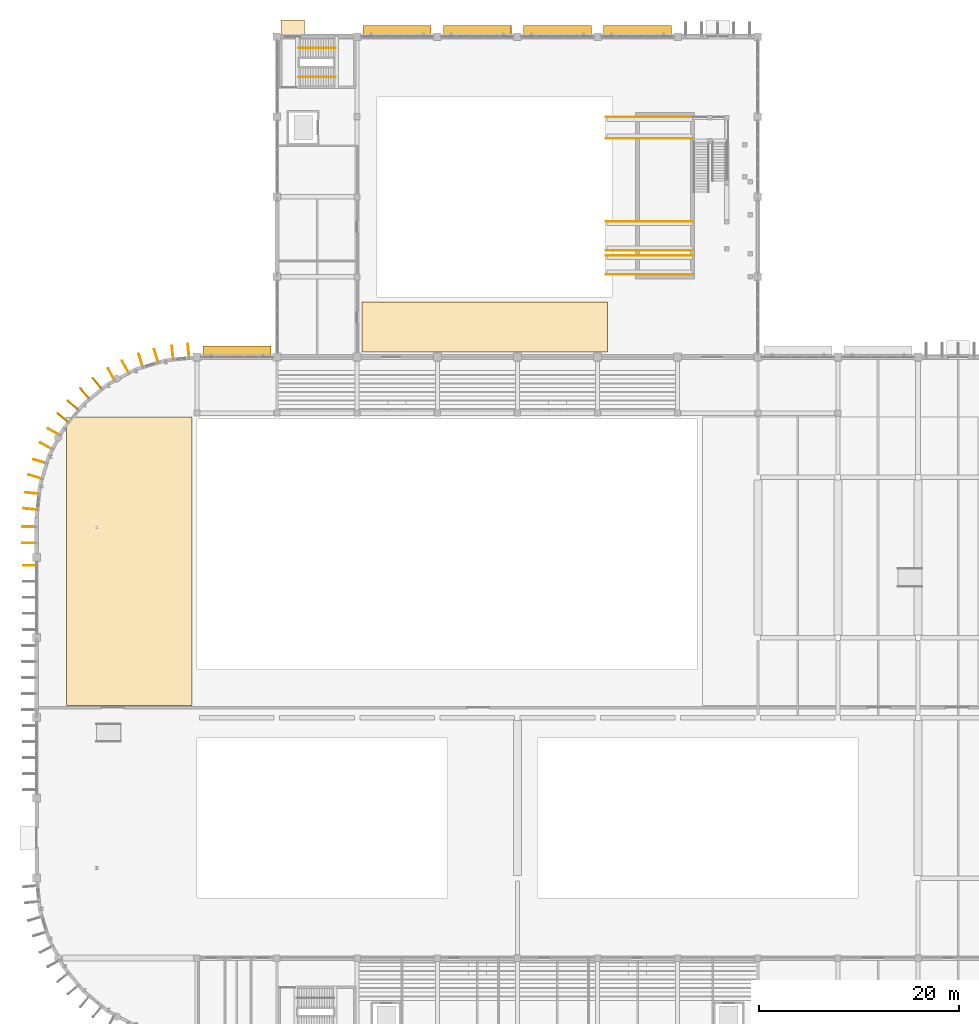
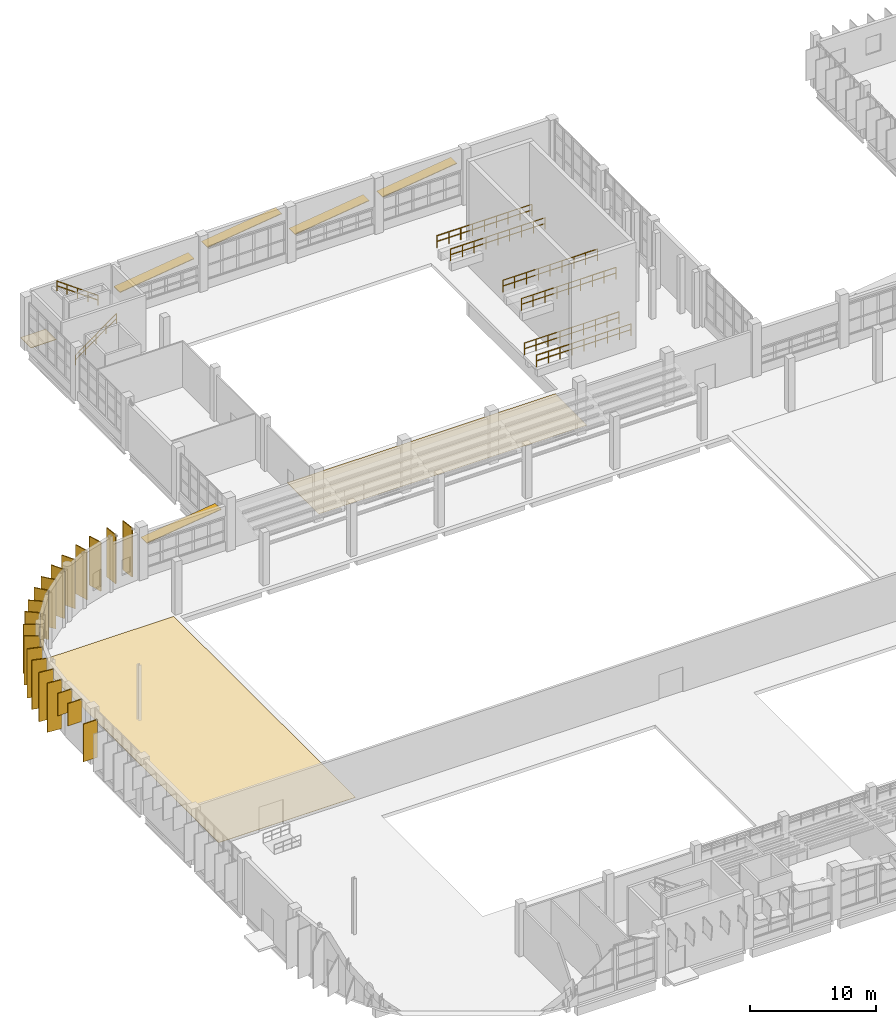
# One storey, part 97 of 103: 24 shading devices, 22 coverings, 8 railings.
"""IFC4 building model written with IfcOpenShell, lengths in metres."""

from ifc_helpers import new_model, si_unit, direction, frame, origin, origin_2d, place, context, subcontext, project, spatial, polyline, rectangle, circle, outline, extrude, material, layer, layer_set, type_object, element, save


model = new_model("IFC4")

# Units and contexts
model_context = context("Model", 3, precision=1e-05, world=origin(), true_north=direction((0.0, 1.0)))
body_context = subcontext(model_context, "Body", "Model", "MODEL_VIEW")
ifc_project = project(units=[si_unit("LENGTHUNIT", "METRE"), si_unit("AREAUNIT", "SQUARE_METRE"), si_unit("VOLUMEUNIT", "CUBIC_METRE"), si_unit("PLANEANGLEUNIT", "RADIAN"), si_unit("MASSUNIT", "GRAM", prefix="KILO")], contexts=[model_context])

# Site, building, storey
site_placement = place(None, origin())
site = spatial("IfcSite", under=ifc_project, at=site_placement, CompositionType="ELEMENT")
building_placement = place(site_placement, origin())
building = spatial("IfcBuilding", under=site, at=building_placement, Name="Drelvana Railside Aquatics Centre", CompositionType="ELEMENT")
storey_placement = place(building_placement, origin())
storey = spatial("IfcBuildingStorey", under=building, at=storey_placement, Name="L00", CompositionType="ELEMENT", Elevation=0.0)

# Coverings
ifc_material_1 = material(Name="Catalan trencadis polychrome ceramic mosaic cladding", Category="masonry")
ifc_layer_1 = layer(ifc_material_1, 0.044921875, Name="Catalan trencadis polychrome ceramic mosaic cladding")
ifc_layer_set_1 = layer_set([ifc_layer_1], Name="Catalan trencadis polychrome ceramic mosaic cladding")
covering_type_1 = type_object("IfcCoveringType", Name="COV-CLAD-TRENCADIS", PredefinedType="CLADDING", material=ifc_layer_set_1)
covering_1_placement = place(storey_placement, frame((0.0, 0.0, -0.2548828125)))
element("IfcCovering", 1, at=covering_1_placement, inside=storey, type_object=covering_type_1, Name="Threshold apron bedding trim 004", PredefinedType="CLADDING", context=body_context, shape_type="SweptSolid", body=[
    extrude(outline(polyline([(24.425048828125, 116.0048828125), (26.72509765625, 116.0048828125), (26.72509765625, 117.655029296875), (24.425048828125, 117.655029296875), (24.425048828125, 116.0048828125)])), origin(), (0.0, 0.0, 1.0), 0.044921875),
])
ifc_material_2 = material(Name="Bronze-anodised extruded aluminium 6063-T6", Category="aluminium")
covering_type_2 = type_object("IfcCoveringType", Name="COV-FIN-ALU", PredefinedType="CLADDING", material=ifc_material_2)
covering_2_placement = place(storey_placement, frame((-0.669921875, 63.199951171875, 0.85009765625), z_axis=(0.0, 0.0, 1.0), x_axis=(0.0, 1.0, 0.0)))
element("IfcCovering", 2, at=covering_2_placement, inside=storey, type_object=covering_type_2, Name="Vertical aluminium fin cladding CF-0249", PredefinedType="CLADDING", context=body_context, shape_type="SweptSolid", body=[
    extrude(rectangle(XDim=0.0849609375, YDim=1.25, at=origin_2d()), origin(), (0.0, 0.0, 1.0), 3.64990234375),
])
for number, where, z_axis, x_axis, name in (
    (3, (-0.77490234375, 65.449951171875, 3.0), (0.0, 0.0, 1.0), (0.0, 1.0, 0.0), "Vertical aluminium fin cladding CF-0265"),
    (4, (-0.77490234375, 67.050048828125, 3.0), (0.0, 0.0, 1.0), (0.0, 1.0, 0.0), "Vertical aluminium fin cladding CF-0266"),
):
    element("IfcCovering", number, at=place(storey_placement, frame(where, z_axis=z_axis, x_axis=x_axis)), inside=storey, type_object=covering_type_2, Name=name, PredefinedType="CLADDING", context=body_context, shape_type="SweptSolid", body=[
        extrude(rectangle(XDim=0.0849609375, YDim=1.25, at=origin_2d()), origin(), (0.0, 0.0, 1.0), 2.14990234375),
    ])
for number, where, z_axis, x_axis, name in (
    (5, (15.162353515625, 84.666015625, 0.25), (0.0, 0.0, 1.0), (0.995184726672, 0.09801714033, 0.0), "Vertical aluminium fin cladding CF-0337"),
    (6, (13.570068359375, 84.50927734375, 0.25), (0.0, 0.0, 1.0), (0.995184726672, 0.09801714033, 0.0), "Vertical aluminium fin cladding CF-0338"),
    (7, (11.927001953125, 84.1826171875, 0.25), (0.0, 0.0, 1.0), (0.956940335732, 0.290284677254, 0.0), "Vertical aluminium fin cladding CF-0345"),
    (8, (10.39599609375, 83.718017578125, 0.25), (0.0, 0.0, 1.0), (0.956940335732, 0.290284677254, 0.0), "Vertical aluminium fin cladding CF-0346"),
    (9, (8.848388671875, 83.076904296875, 0.25), (0.0, 0.0, 1.0), (0.881921264348, 0.471396736826, 0.0), "Vertical aluminium fin cladding CF-0353"),
    (10, (7.437255859375, 82.32275390625, 0.25), (0.0, 0.0, 1.0), (0.881921264348, 0.471396736826, 0.0), "Vertical aluminium fin cladding CF-0354"),
    (11, (6.04443359375, 81.39208984375, 0.25), (0.0, 0.0, 1.0), (0.773010453363, 0.634393284164, 0.0), "Vertical aluminium fin cladding CF-0361"),
    (12, (4.8076171875, 80.376953125, 0.25), (0.0, 0.0, 1.0), (0.773010453363, 0.634393284164, 0.0), "Vertical aluminium fin cladding CF-0362"),
    (13, (3.623046875, 79.1923828125, 0.25), (0.0, 0.0, 1.0), (0.634393284164, 0.773010453363, 0.0), "Vertical aluminium fin cladding CF-0369"),
    (14, (2.60791015625, 77.95556640625, 0.25), (0.0, 0.0, 1.0), (0.634393284164, 0.773010453363, 0.0), "Vertical aluminium fin cladding CF-0370"),
    (15, (1.67724609375, 76.562744140625, 0.25), (0.0, 0.0, 1.0), (0.471396736826, 0.881921264348, 0.0), "Vertical aluminium fin cladding CF-0377"),
    (16, (0.923095703125, 75.151611328125, 0.25), (0.0, 0.0, 1.0), (0.471396736826, 0.881921264348, 0.0), "Vertical aluminium fin cladding CF-0378"),
    (17, (0.281982421875, 73.60400390625, 0.25), (0.0, 0.0, 1.0), (0.290284677254, 0.956940335732, 0.0), "Vertical aluminium fin cladding CF-0385"),
    (18, (-0.1826171875, 72.072998046875, 0.25), (0.0, 0.0, 1.0), (0.290284677254, 0.956940335732, 0.0), "Vertical aluminium fin cladding CF-0386"),
    (19, (-0.50927734375, 70.429931640625, 0.25), (0.0, 0.0, 1.0), (0.09801714033, 0.995184726672, 0.0), "Vertical aluminium fin cladding CF-0393"),
    (20, (-0.666015625, 68.837646484375, 0.25), (0.0, 0.0, 1.0), (0.09801714033, 0.995184726672, 0.0), "Vertical aluminium fin cladding CF-0394"),
):
    element("IfcCovering", number, at=place(storey_placement, frame(where, z_axis=z_axis, x_axis=x_axis)), inside=storey, type_object=covering_type_2, Name=name, PredefinedType="CLADDING", context=body_context, shape_type="SweptSolid", body=[
        extrude(rectangle(XDim=0.0849609375, YDim=1.25, at=origin_2d()), origin(), (0.0, 0.0, 1.0), 4.72998046875),
    ])
ifc_material_3 = material(Name="Slip-resistant vitrified ceramic pool deck tile", Category="masonry")
ifc_layer_2 = layer(ifc_material_3, 0.02490234375, Name="Slip-resistant vitrified ceramic pool deck tile")
ifc_layer_set_2 = layer_set([ifc_layer_2], Name="Slip-resistant vitrified ceramic pool deck tile")
covering_type_3 = type_object("IfcCoveringType", Name="COV-FLOR-ANTISLIP", PredefinedType="FLOORING", material=ifc_layer_set_2)
covering_3_placement = place(storey_placement, origin())
element("IfcCovering", 21, at=covering_3_placement, inside=storey, type_object=covering_type_3, Name="Competition Pool west slip-resistant deck finish", PredefinedType="FLOORING", context=body_context, shape_type="SweptSolid", body=[
    extrude(outline(polyline([(3.0, 49.199951171875), (15.5, 49.199951171875), (15.5, 78.0), (3.0, 78.0), (3.0, 49.199951171875)])), origin(), (0.0, 0.0, 1.0), 0.02490234375),
])
covering_4_placement = place(storey_placement, origin())
element("IfcCovering", 22, at=covering_4_placement, inside=storey, type_object=covering_type_3, Name="Diving Pool south slip-resistant deck finish", PredefinedType="FLOORING", context=body_context, shape_type="SweptSolid", body=[
    extrude(outline(polyline([(32.5, 84.5), (57.0, 84.5), (57.0, 89.5), (32.5, 89.5), (32.5, 84.5)])), origin(), (0.0, 0.0, 1.0), 0.02490234375),
])

# Railings
ifc_material_4 = material(Name="Brushed stainless steel stair pitch handrail", Category="steel")
railing_type_1 = type_object("IfcRailingType", Name="RAL-HANDRAIL-950", PredefinedType="HANDRAIL", material=ifc_material_4)
railing_1_placement = place(storey_placement, frame((26.1201171875, 111.949951171875, 0.0)))
element("IfcRailing", 23, at=railing_1_placement, inside=storey, type_object=railing_type_1, Name="Stair ST-03 flight 1 handrail (L00)", PredefinedType="HANDRAIL", context=body_context, shape_type="SweptSolid", body=[
    extrude(circle(Radius=0.02392578125, at=origin_2d()), frame((0.0, 0.0, 0.92578125), z_axis=(0.811539352079, 0.0, 0.584297766578), x_axis=(0.0, 1.0, 0.0)), (0.0, 0.0, 1.0), 4.620849609375),
    extrude(circle(Radius=0.02392578125, at=origin_2d()), frame((0.0, 0.0, 0.47509765625), z_axis=(0.811539352079, 0.0, 0.584297766578), x_axis=(0.0, 1.0, 0.0)), (0.0, 0.0, 1.0), 4.620849609375),
    extrude(circle(Radius=0.02099609375, at=origin_2d()), origin(), (0.0, 0.0, 1.0), 0.90185546875),
    extrude(circle(Radius=0.02099609375, at=origin_2d()), frame((0.9375, 0.0, 0.675048828125)), (0.0, 0.0, 1.0), 0.90185546875),
    extrude(circle(Radius=0.02099609375, at=origin_2d()), frame((1.875, 0.0, 1.35009765625)), (0.0, 0.0, 1.0), 0.90185546875),
    extrude(circle(Radius=0.02099609375, at=origin_2d()), frame((2.8125, 0.0, 2.02490234375)), (0.0, 0.0, 1.0), 0.90185546875),
    extrude(circle(Radius=0.02099609375, at=origin_2d()), frame((3.75, 0.0, 2.699951171875)), (0.0, 0.0, 1.0), 0.90185546875),
])
railing_2_placement = place(storey_placement, frame((29.8701171875, 114.85009765625, 2.699951171875)))
element("IfcRailing", 24, at=railing_2_placement, inside=storey, type_object=railing_type_1, Name="Stair ST-03 flight 2 handrail (L00)", PredefinedType="HANDRAIL", context=body_context, shape_type="SweptSolid", body=[
    extrude(circle(Radius=0.02392578125, at=origin_2d()), frame((0.0, 0.0, 0.92578125), z_axis=(-0.811539352079, 0.0, 0.584297766578), x_axis=(0.0, -1.0, 0.0)), (0.0, 0.0, 1.0), 4.620849609375),
    extrude(circle(Radius=0.02392578125, at=origin_2d()), frame((0.0, 0.0, 0.47509765625), z_axis=(-0.811539352079, 0.0, 0.584297766578), x_axis=(0.0, -1.0, 0.0)), (0.0, 0.0, 1.0), 4.620849609375),
    extrude(circle(Radius=0.02099609375, at=origin_2d()), origin(), (0.0, 0.0, 1.0), 0.90185546875),
    extrude(circle(Radius=0.02099609375, at=origin_2d()), frame((-0.9375, 0.0, 0.675048828125)), (0.0, 0.0, 1.0), 0.90185546875),
    extrude(circle(Radius=0.02099609375, at=origin_2d()), frame((-1.875, 0.0, 1.35009765625)), (0.0, 0.0, 1.0), 0.90185546875),
    extrude(circle(Radius=0.02099609375, at=origin_2d()), frame((-2.8125, 0.0, 2.02490234375)), (0.0, 0.0, 1.0), 0.90185546875),
    extrude(circle(Radius=0.02099609375, at=origin_2d()), frame((-3.75, 0.0, 2.699951171875)), (0.0, 0.0, 1.0), 0.90185546875),
])
ifc_material_5 = material(Name="Brushed stainless steel stairwell guard", Category="steel")
railing_type_2 = type_object("IfcRailingType", Name="RAL-STAIR-1150", PredefinedType="GUARDRAIL", material=ifc_material_5)
for number, where, name in (
    (25, (56.85009765625, 92.239990234375, 1.0), "Diving platform 1M side guard 1"),
    (26, (56.85009765625, 94.159912109375, 1.0), "Diving platform 1M side guard 2"),
    (27, (56.85009765625, 105.840087890625, 3.0), "Diving platform 3M side guard 1"),
    (28, (56.85009765625, 107.9599609375, 3.0), "Diving platform 3M side guard 2"),
    (29, (56.85009765625, 94.639892578125, 5.0), "Diving platform 5M side guard 1"),
    (30, (56.85009765625, 97.56005859375, 5.0), "Diving platform 5M side guard 2"),
):
    element("IfcRailing", number, at=place(storey_placement, frame(where)), inside=storey, type_object=railing_type_2, Name=name, PredefinedType="GUARDRAIL", context=body_context, shape_type="SweptSolid", body=[
        extrude(circle(Radius=0.02392578125, at=origin_2d()), frame((0.0, 0.0, 1.1259765625), z_axis=(1.0, 0.0, 0.0), x_axis=(0.0, 1.0, 0.0)), (0.0, 0.0, 1.0), 8.64990234375),
        extrude(circle(Radius=0.02392578125, at=origin_2d()), frame((0.0, 0.0, 0.574951171875), z_axis=(1.0, 0.0, 0.0), x_axis=(0.0, 1.0, 0.0)), (0.0, 0.0, 1.0), 8.64990234375),
        extrude(circle(Radius=0.02099609375, at=origin_2d()), origin(), (0.0, 0.0, 1.0), 1.101806640625),
        extrude(circle(Radius=0.02099609375, at=origin_2d()), frame((1.081298828125, 0.0, 0.0)), (0.0, 0.0, 1.0), 1.101806640625),
        extrude(circle(Radius=0.02099609375, at=origin_2d()), frame((2.16259765625, 0.0, 0.0)), (0.0, 0.0, 1.0), 1.101806640625),
        extrude(circle(Radius=0.02099609375, at=origin_2d()), frame((3.24365234375, 0.0, 0.0)), (0.0, 0.0, 1.0), 1.101806640625),
        extrude(circle(Radius=0.02099609375, at=origin_2d()), frame((4.324951171875, 0.0, 0.0)), (0.0, 0.0, 1.0), 1.101806640625),
        extrude(circle(Radius=0.02099609375, at=origin_2d()), frame((5.40625, 0.0, 0.0)), (0.0, 0.0, 1.0), 1.101806640625),
        extrude(circle(Radius=0.02099609375, at=origin_2d()), frame((6.4873046875, 0.0, 0.0)), (0.0, 0.0, 1.0), 1.101806640625),
        extrude(circle(Radius=0.02099609375, at=origin_2d()), frame((7.568603515625, 0.0, 0.0)), (0.0, 0.0, 1.0), 1.101806640625),
        extrude(circle(Radius=0.02099609375, at=origin_2d()), frame((8.64990234375, 0.0, 0.0)), (0.0, 0.0, 1.0), 1.101806640625),
    ])

# Shading devices
ifc_layer_3 = layer(ifc_material_2, 0.06494140625, Name="Bronze-anodised extruded aluminium 6063-T6")
ifc_layer_set_3 = layer_set([ifc_layer_3], Name="Bronze-anodised extruded aluminium 6063-T6")
shading_device_type_1 = type_object("IfcShadingDeviceType", Name="SHD-EYELID-950", PredefinedType="JALOUSIE", material=ifc_layer_set_3)
for number, where, z_axis, x_axis, name in (
    (31, (20.004150390625, 84.614990234375, 3.377685546875), (-0.13052619222, 0.0, 0.991444861374), (0.0, 1.0, 0.0), "North sine-wave eyelid louvre 1"),
    (32, (36.004150390625, 116.614990234375, 2.577880859375), (-0.13052619222, 0.0, 0.991444861374), (0.0, 1.0, 0.0), "North sine-wave eyelid louvre 6"),
    (33, (44.004150390625, 116.614990234375, 4.127685546875), (-0.13052619222, 0.0, 0.991444861374), (0.0, 1.0, 0.0), "North sine-wave eyelid louvre 7"),
    (34, (52.004150390625, 116.614990234375, 2.583740234375), (-0.13052619222, 0.0, 0.991444861374), (0.0, 1.0, 0.0), "North sine-wave eyelid louvre 8"),
    (35, (60.004150390625, 116.614990234375, 3.377685546875), (-0.13052619222, 0.0, 0.991444861374), (0.0, 1.0, 0.0), "North sine-wave eyelid louvre 9"),
):
    element("IfcShadingDevice", number, at=place(storey_placement, frame(where, z_axis=z_axis, x_axis=x_axis)), inside=storey, type_object=shading_device_type_1, Name=name, PredefinedType="JALOUSIE", context=body_context, shape_type="SweptSolid", body=[
        extrude(rectangle(XDim=0.949951171875, YDim=6.840087890625, at=origin_2d()), origin(), (0.0, 0.0, 1.0), 0.06494140625),
    ])
shading_device_type_2 = type_object("IfcShadingDeviceType", Name="SHD-FIN-1250", PredefinedType="USERDEFINED", material=ifc_material_2)
shading_device_placement = place(storey_placement, frame((-0.68994140625, 63.199951171875, 0.85009765625), z_axis=(0.0, 0.0, 1.0), x_axis=(-1.0, 0.0, 0.0)))
element("IfcShadingDevice", 36, at=shading_device_placement, inside=storey, type_object=shading_device_type_2, Name="Vertical bronze shading fin FN-0256", ObjectType="FIN", PredefinedType="USERDEFINED", context=body_context, shape_type="SweptSolid", body=[
    extrude(rectangle(XDim=1.25, YDim=0.06494140625, at=origin_2d()), origin(), (0.0, 0.0, 1.0), 3.64990234375),
])
for number, where, z_axis, x_axis, name in (
    (37, (-0.794921875, 65.449951171875, 3.0), (0.0, 0.0, 1.0), (-1.0, 0.0, 0.0), "Vertical bronze shading fin FN-0272"),
    (38, (-0.794921875, 67.050048828125, 3.0), (0.0, 0.0, 1.0), (-1.0, 0.0, 0.0), "Vertical bronze shading fin FN-0273"),
):
    element("IfcShadingDevice", number, at=place(storey_placement, frame(where, z_axis=z_axis, x_axis=x_axis)), inside=storey, type_object=shading_device_type_2, Name=name, ObjectType="FIN", PredefinedType="USERDEFINED", context=body_context, shape_type="SweptSolid", body=[
        extrude(rectangle(XDim=1.25, YDim=0.06494140625, at=origin_2d()), origin(), (0.0, 0.0, 1.0), 2.14990234375),
    ])
for number, where, z_axis, x_axis, name in (
    (39, (15.160400390625, 84.68603515625, 0.25), (0.0, 0.0, 1.0), (-0.09801714033, 0.995184726672, 0.0), "Vertical bronze shading fin FN-0344"),
    (40, (13.568115234375, 84.529296875, 0.25), (0.0, 0.0, 1.0), (-0.09801714033, 0.995184726672, 0.0), "Vertical bronze shading fin FN-0345"),
    (41, (11.92138671875, 84.20166015625, 0.25), (0.0, 0.0, 1.0), (-0.290284677254, 0.956940335732, 0.0), "Vertical bronze shading fin FN-0352"),
    (42, (10.39013671875, 83.7373046875, 0.25), (0.0, 0.0, 1.0), (-0.290284677254, 0.956940335732, 0.0), "Vertical bronze shading fin FN-0353"),
    (43, (8.8388671875, 83.094482421875, 0.25), (0.0, 0.0, 1.0), (-0.471396736826, 0.881921264348, 0.0), "Vertical bronze shading fin FN-0360"),
    (44, (7.427734375, 82.34033203125, 0.25), (0.0, 0.0, 1.0), (-0.471396736826, 0.881921264348, 0.0), "Vertical bronze shading fin FN-0361"),
    (45, (6.03173828125, 81.407470703125, 0.25), (0.0, 0.0, 1.0), (-0.634393284164, 0.773010453363, 0.0), "Vertical bronze shading fin FN-0368"),
    (46, (4.794921875, 80.392333984375, 0.25), (0.0, 0.0, 1.0), (-0.634393284164, 0.773010453363, 0.0), "Vertical bronze shading fin FN-0369"),
    (47, (3.607666015625, 79.205078125, 0.25), (0.0, 0.0, 1.0), (-0.773010453363, 0.634393284164, 0.0), "Vertical bronze shading fin FN-0376"),
    (48, (2.592529296875, 77.96826171875, 0.25), (0.0, 0.0, 1.0), (-0.773010453363, 0.634393284164, 0.0), "Vertical bronze shading fin FN-0377"),
    (49, (1.65966796875, 76.572265625, 0.25), (0.0, 0.0, 1.0), (-0.881921264348, 0.471396736826, 0.0), "Vertical bronze shading fin FN-0384"),
    (50, (0.905517578125, 75.1611328125, 0.25), (0.0, 0.0, 1.0), (-0.881921264348, 0.471396736826, 0.0), "Vertical bronze shading fin FN-0385"),
    (51, (0.2626953125, 73.60986328125, 0.25), (0.0, 0.0, 1.0), (-0.956940335732, 0.290284677254, 0.0), "Vertical bronze shading fin FN-0392"),
    (52, (-0.20166015625, 72.07861328125, 0.25), (0.0, 0.0, 1.0), (-0.956940335732, 0.290284677254, 0.0), "Vertical bronze shading fin FN-0393"),
    (53, (-0.529296875, 70.431884765625, 0.25), (0.0, 0.0, 1.0), (-0.995184726672, 0.09801714033, 0.0), "Vertical bronze shading fin FN-0400"),
    (54, (-0.68603515625, 68.839599609375, 0.25), (0.0, 0.0, 1.0), (-0.995184726672, 0.09801714033, 0.0), "Vertical bronze shading fin FN-0401"),
):
    element("IfcShadingDevice", number, at=place(storey_placement, frame(where, z_axis=z_axis, x_axis=x_axis)), inside=storey, type_object=shading_device_type_2, Name=name, ObjectType="FIN", PredefinedType="USERDEFINED", context=body_context, shape_type="SweptSolid", body=[
        extrude(rectangle(XDim=1.25, YDim=0.06494140625, at=origin_2d()), origin(), (0.0, 0.0, 1.0), 4.72998046875),
    ])

save(model, "model.ifc")
